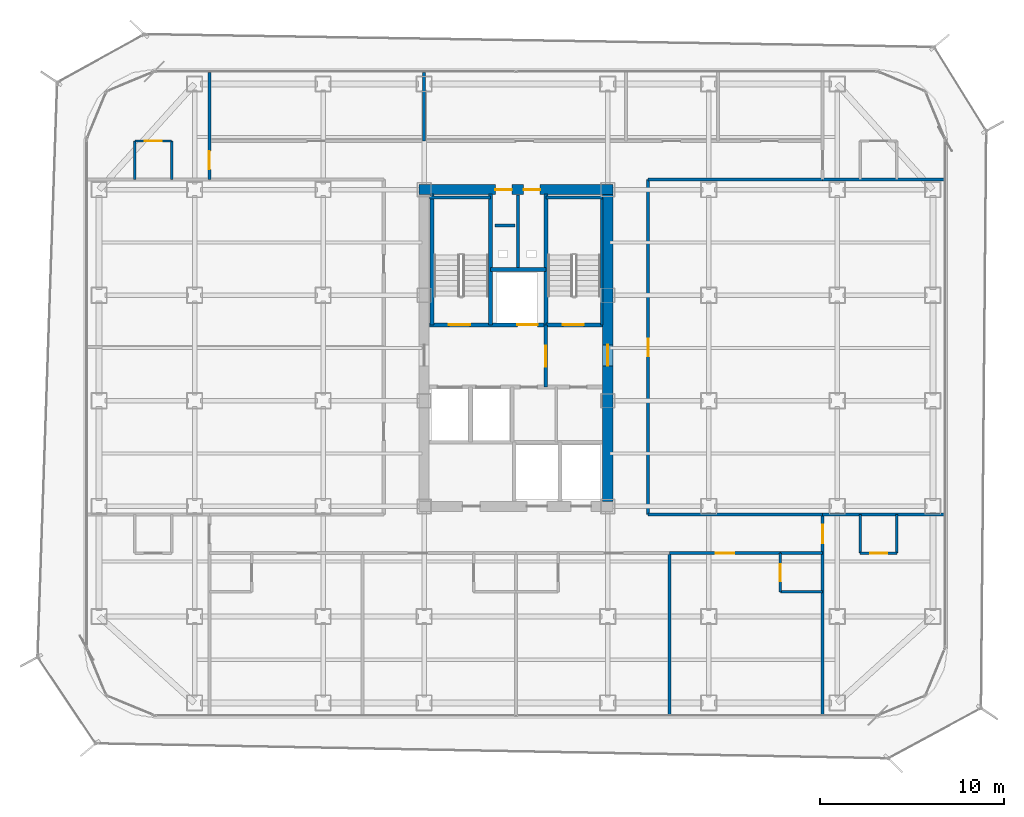
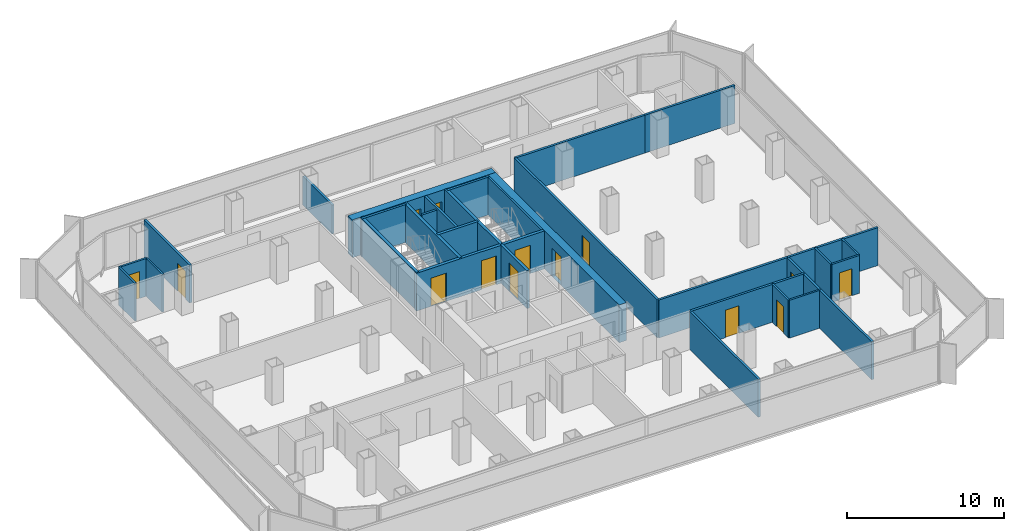
# One storey, part 17 of 21: 33 walls, 14 doors, 14 openings.
"""IFC4 building model written with IfcOpenShell, lengths in metres."""

from ifc_helpers import new_model, si_unit, direction, frame, frame_2d, origin, place, context, subcontext, project, spatial, rectangle, extrude, material, layer, layer_set, type_object, element, fill, save


model = new_model("IFC4")

# Units and contexts
model_context = context("Model", 3, precision=1e-05, world=origin(), true_north=direction((0.0, 1.0)))
body_context = subcontext(model_context, "Body", "Model", "MODEL_VIEW")
ifc_project = project(units=[si_unit("LENGTHUNIT", "METRE"), si_unit("AREAUNIT", "SQUARE_METRE"), si_unit("VOLUMEUNIT", "CUBIC_METRE"), si_unit("PLANEANGLEUNIT", "RADIAN"), si_unit("MASSUNIT", "GRAM", prefix="KILO")], contexts=[model_context])

# Site, building, storey
site_placement = place(None, origin())
site = spatial("IfcSite", under=ifc_project, at=site_placement, CompositionType="ELEMENT")
building_placement = place(site_placement, origin())
building = spatial("IfcBuilding", under=site, at=building_placement, Name="Kolveth Station Tower", CompositionType="ELEMENT")
storey_placement = place(building_placement, frame((0.0, 0.0, 95.89990234375)))
storey = spatial("IfcBuildingStorey", under=building, at=storey_placement, Name="L25", CompositionType="ELEMENT", Elevation=95.89990234375)

# Wall, openings, doors
ifc_material_1 = material(Name="Concrete C60/75", Category="concrete")
ifc_layer_1 = layer(ifc_material_1, 0.550048828125)
ifc_layer_set_1 = layer_set([ifc_layer_1], Name="Concrete C60/75")
wall_type_1 = type_object("IfcWallType", Name="Wall_CW-550", PredefinedType="SHEAR", material=ifc_layer_set_1)
wall_1_placement = place(storey_placement, frame((18.22509765625, 28.75, 0.0), z_axis=(0.0, 0.0, 1.0), x_axis=(1.0, 0.0, 0.0)))
wall_1 = element("IfcWall", 1, at=wall_1_placement, inside=storey, type_object=wall_type_1, Name="L25 Core RC Shear Wall N", PredefinedType="SHEAR", context=body_context, shape_type="SweptSolid", body=[
    extrude(rectangle(XDim=10.5498046875, YDim=0.550048828125, at=frame_2d((5.27490234375, 0.0))), origin(), (0.0, 0.0, 1.0), 2.9501953125),
])
opening_1_placement = place(wall_1_placement, frame((4.155029296875, 0.0, 0.0)))
opening_1 = element("IfcOpeningElement", 2, at=opening_1_placement, cuts=wall_1, Name="Opening RD1", PredefinedType="OPENING", context=body_context, shape_type="SweptSolid", body=[
    extrude(rectangle(XDim=0.89990234375, YDim=2.050048828125, at=frame_2d((0.449951171875, 1.02490234375))), frame((0.0, 0.284912109375, 0.0), z_axis=(0.0, -1.0, 0.0), x_axis=(1.0, 0.0, 0.0)), (0.0, 0.0, 1.0), 0.570068359375),
])
opening_2_placement = place(wall_1_placement, frame((5.695068359375, 0.0, 0.0)))
opening_2 = element("IfcOpeningElement", 3, at=opening_2_placement, cuts=wall_1, Name="Opening RD1", PredefinedType="OPENING", context=body_context, shape_type="SweptSolid", body=[
    extrude(rectangle(XDim=0.89990234375, YDim=2.050048828125, at=frame_2d((0.449951171875, 1.02490234375))), frame((0.0, 0.284912109375, 0.0), z_axis=(0.0, -1.0, 0.0), x_axis=(1.0, 0.0, 0.0)), (0.0, 0.0, 1.0), 0.570068359375),
])
ifc_material_2 = material(Name="Fire-rated Steel S355 riser access leaf", Category="steel")
door_type_1 = type_object("IfcDoorType", Name="Door_RD1", OperationType="NOTDEFINED", PredefinedType="DOOR", material=ifc_material_2)
door_1_placement = place(opening_1_placement, origin())
door_1 = element("IfcDoor", 4, at=door_1_placement, inside=storey, type_object=door_type_1, Name="L25 Electrical Riser Access Door", OperationType="SINGLE_SWING_LEFT", OverallHeight=2.050048828125, OverallWidth=0.89990234375, PredefinedType="DOOR", context=body_context, shape_type="SweptSolid", body=[
    extrude(rectangle(XDim=0.89990234375, YDim=2.050048828125, at=frame_2d((0.449951171875, 1.02490234375))), frame((0.0, 0.02490234375, 0.0), z_axis=(0.0, -1.0, 0.0), x_axis=(1.0, 0.0, 0.0)), (0.0, 0.0, 1.0), 0.050048828125),
])
fill(opening_1, door_1)
door_2_placement = place(opening_2_placement, origin())
door_2 = element("IfcDoor", 5, at=door_2_placement, inside=storey, type_object=door_type_1, Name="L25 Smoke Duct Access Door", OperationType="SINGLE_SWING_LEFT", OverallHeight=2.050048828125, OverallWidth=0.89990234375, PredefinedType="DOOR", context=body_context, shape_type="SweptSolid", body=[
    extrude(rectangle(XDim=0.89990234375, YDim=2.050048828125, at=frame_2d((0.449951171875, 1.02490234375))), frame((0.0, 0.02490234375, 0.0), z_axis=(0.0, -1.0, 0.0), x_axis=(1.0, 0.0, 0.0)), (0.0, 0.0, 1.0), 0.050048828125),
])
fill(opening_2, door_2)

# Wall, opening, door
wall_2_placement = place(storey_placement, frame((28.5, 11.77490234375, 0.0), z_axis=(0.0, 0.0, 1.0), x_axis=(0.0, 1.0, 0.0)))
wall_2 = element("IfcWall", 6, at=wall_2_placement, inside=storey, type_object=wall_type_1, Name="L25 Core RC Shear Wall E", PredefinedType="SHEAR", context=body_context, shape_type="SweptSolid", body=[
    extrude(rectangle(XDim=16.7001953125, YDim=0.550048828125, at=frame_2d((8.35009765625, 0.0))), origin(), (0.0, 0.0, 1.0), 2.9501953125),
])
opening_3_placement = place(wall_2_placement, frame((7.375, 0.0, 0.0)))
opening_3 = element("IfcOpeningElement", 7, at=opening_3_placement, cuts=wall_2, Name="Opening FD1", PredefinedType="OPENING", context=body_context, shape_type="SweptSolid", body=[
    extrude(rectangle(XDim=1.14990234375, YDim=2.199951171875, at=frame_2d((0.574951171875, 1.10009765625))), frame((0.0, 0.284912109375, 0.0), z_axis=(0.0, -1.0, 0.0), x_axis=(1.0, 0.0, 0.0)), (0.0, 0.0, 1.0), 0.570068359375),
])
ifc_material_3 = material(Name="Fire-rated Steel S355 leaf and frame", Category="steel")
door_type_2 = type_object("IfcDoorType", Name="Door_FD1", OperationType="NOTDEFINED", PredefinedType="DOOR", material=ifc_material_3)
door_3_placement = place(opening_3_placement, origin())
door_3 = element("IfcDoor", 8, at=door_3_placement, inside=storey, type_object=door_type_2, Name="L25 East Corridor to Stair Lobby Door", OperationType="SINGLE_SWING_RIGHT", OverallHeight=2.199951171875, OverallWidth=1.14990234375, PredefinedType="DOOR", context=body_context, shape_type="SweptSolid", body=[
    extrude(rectangle(XDim=1.14990234375, YDim=2.199951171875, at=frame_2d((0.574951171875, 1.10009765625))), frame((0.0, 0.02490234375, 0.0), z_axis=(0.0, -1.0, 0.0), x_axis=(1.0, 0.0, 0.0)), (0.0, 0.0, 1.0), 0.050048828125),
])
fill(opening_3, door_3)

# Walls
ifc_material_4 = material(Name="Moisture-resistant gypsum partition")
ifc_layer_2 = layer(ifc_material_4, 0.135009765625)
ifc_layer_set_2 = layer_set([ifc_layer_2], Name="Moisture-resistant gypsum partition")
wall_type_2 = type_object("IfcWallType", Name="Wall_IW-135", PredefinedType="PARTITIONING", material=ifc_layer_set_2)
wall_3_placement = place(storey_placement, frame((28.16748046875, 21.389892578125, 0.0), z_axis=(0.0, 0.0, 1.0), x_axis=(0.0, 1.0, 0.0)))
element("IfcWall", 9, at=wall_3_placement, inside=storey, type_object=wall_type_2, Name="L25 Stair Shaft Wall WL-L25-ST2-E", PredefinedType="PARTITIONING", context=body_context, shape_type="SweptSolid", body=[
    extrude(rectangle(XDim=6.945068359375, YDim=0.135009765625, at=frame_2d((3.47265625, 0.0))), origin(), (0.0, 0.0, 1.0), 2.9501953125),
])
for number, where, z_axis, x_axis, name in (
    (10, (2.75, 29.300048828125, 0.0), (0.0, 0.0, 1.0), (0.0, 1.0, 0.0), "L25 Partition Wall WL-L25-WS2-BV1"),
    (11, (4.75, 29.300048828125, 0.0), (0.0, 0.0, 1.0), (0.0, 1.0, 0.0), "L25 Partition Wall WL-L25-WS2-BV2"),
):
    element("IfcWall", number, at=place(storey_placement, frame(where, z_axis=z_axis, x_axis=x_axis)), inside=storey, type_object=wall_type_2, Name=name, PredefinedType="PARTITIONING", context=body_context, shape_type="SweptSolid", body=[
        extrude(rectangle(XDim=2.099853515625, YDim=0.135009765625, at=frame_2d((1.0498046875, 0.0))), origin(), (0.0, 0.0, 1.0), 2.9501953125),
    ])

# Wall, opening, door
wall_4_placement = place(storey_placement, frame((2.75, 31.39990234375, 0.0), z_axis=(0.0, 0.0, 1.0), x_axis=(1.0, 0.0, 0.0)))
wall_4 = element("IfcWall", 12, at=wall_4_placement, inside=storey, type_object=wall_type_2, Name="L25 Partition Wall WL-L25-WS2-BH", PredefinedType="PARTITIONING", context=body_context, shape_type="SweptSolid", body=[
    extrude(rectangle(XDim=2.0, YDim=0.135009765625, at=frame_2d((1.0, 0.0))), origin(), (0.0, 0.0, 1.0), 2.9501953125),
])
opening_4_placement = place(wall_4_placement, frame((0.5400390625, 0.0, 0.0)))
opening_4 = element("IfcOpeningElement", 13, at=opening_4_placement, cuts=wall_4, Name="Opening ID2", PredefinedType="OPENING", context=body_context, shape_type="SweptSolid", body=[
    extrude(rectangle(XDim=0.919921875, YDim=2.10009765625, at=frame_2d((0.4599609375, 1.050048828125))), frame((0.0, 0.077392578125, 0.0), z_axis=(0.0, -1.0, 0.0), x_axis=(1.0, 0.0, 0.0)), (0.0, 0.0, 1.0), 0.155029296875),
])
ifc_material_5 = material(Name="Moisture-resistant hardwood leaf", Category="wood")
door_type_3 = type_object("IfcDoorType", Name="Door_ID2", OperationType="NOTDEFINED", PredefinedType="DOOR", material=ifc_material_5)
door_4_placement = place(opening_4_placement, frame((0.919921875, 0.0, 0.0), z_axis=(0.0, 0.0, 1.0), x_axis=(-1.0, 0.0, 0.0)))
door_4 = element("IfcDoor", 14, at=door_4_placement, inside=storey, type_object=door_type_3, Name="L25 Hotel Corner Suite WS2 En-Suite Door", OperationType="SINGLE_SWING_RIGHT", OverallHeight=2.10009765625, OverallWidth=0.919921875, PredefinedType="DOOR", context=body_context, shape_type="SweptSolid", body=[
    extrude(rectangle(XDim=0.919921875, YDim=2.10009765625, at=frame_2d((0.4599609375, 1.050048828125))), frame((0.0, 0.02490234375, 0.0), z_axis=(0.0, -1.0, 0.0), x_axis=(1.0, 0.0, 0.0)), (0.0, 0.0, 1.0), 0.050048828125),
])
fill(opening_4, door_4)

# Walls
for number, where, z_axis, x_axis, name in (
    (15, (42.25, 8.949951171875, 0.0), (0.0, 0.0, 1.0), (0.0, 1.0, 0.0), "L25 Partition Wall WL-L25-ES1-BV1"),
    (16, (44.25, 8.949951171875, 0.0), (0.0, 0.0, 1.0), (0.0, 1.0, 0.0), "L25 Partition Wall WL-L25-ES1-BV2"),
):
    element("IfcWall", number, at=place(storey_placement, frame(where, z_axis=z_axis, x_axis=x_axis)), inside=storey, type_object=wall_type_2, Name=name, PredefinedType="PARTITIONING", context=body_context, shape_type="SweptSolid", body=[
        extrude(rectangle(XDim=2.10009765625, YDim=0.135009765625, at=frame_2d((1.050048828125, 0.0))), origin(), (0.0, 0.0, 1.0), 2.9501953125),
    ])

# Wall, opening, door
wall_5_placement = place(storey_placement, frame((42.25, 8.949951171875, 0.0), z_axis=(0.0, 0.0, 1.0), x_axis=(1.0, 0.0, 0.0)))
wall_5 = element("IfcWall", 17, at=wall_5_placement, inside=storey, type_object=wall_type_2, Name="L25 Partition Wall WL-L25-ES1-BH", PredefinedType="PARTITIONING", context=body_context, shape_type="SweptSolid", body=[
    extrude(rectangle(XDim=2.0, YDim=0.135009765625, at=frame_2d((1.0, 0.0))), origin(), (0.0, 0.0, 1.0), 2.9501953125),
])
opening_5_placement = place(wall_5_placement, frame((0.5400390625, 0.0, 0.0)))
opening_5 = element("IfcOpeningElement", 18, at=opening_5_placement, cuts=wall_5, Name="Opening ID2", PredefinedType="OPENING", context=body_context, shape_type="SweptSolid", body=[
    extrude(rectangle(XDim=0.919921875, YDim=2.10009765625, at=frame_2d((0.4599609375, 1.050048828125))), frame((0.0, 0.077392578125, 0.0), z_axis=(0.0, -1.0, 0.0), x_axis=(1.0, 0.0, 0.0)), (0.0, 0.0, 1.0), 0.155029296875),
])
door_5_placement = place(opening_5_placement, origin())
door_5 = element("IfcDoor", 19, at=door_5_placement, inside=storey, type_object=door_type_3, Name="L25 Hotel Corner Suite ES1 En-Suite Door", OperationType="SINGLE_SWING_RIGHT", OverallHeight=2.10009765625, OverallWidth=0.919921875, PredefinedType="DOOR", context=body_context, shape_type="SweptSolid", body=[
    extrude(rectangle(XDim=0.919921875, YDim=2.10009765625, at=frame_2d((0.4599609375, 1.050048828125))), frame((0.0, 0.02490234375, 0.0), z_axis=(0.0, -1.0, 0.0), x_axis=(1.0, 0.0, 0.0)), (0.0, 0.0, 1.0), 0.050048828125),
])
fill(opening_5, door_5)

wall_6_placement = place(storey_placement, frame((37.89990234375, 6.85009765625, 0.0), z_axis=(0.0, 0.0, 1.0), x_axis=(0.0, 1.0, 0.0)))
wall_6 = element("IfcWall", 20, at=wall_6_placement, inside=storey, type_object=wall_type_2, Name="L25 Partition Wall WL-L25-HS4-BV", PredefinedType="PARTITIONING", context=body_context, shape_type="SweptSolid", body=[
    extrude(rectangle(XDim=2.099853515625, YDim=0.135009765625, at=frame_2d((1.0498046875, 0.0))), origin(), (0.0, 0.0, 1.0), 2.9501953125),
])
opening_6_placement = place(wall_6_placement, frame((0.580078125, 0.0, 0.0)))
opening_6 = element("IfcOpeningElement", 21, at=opening_6_placement, cuts=wall_6, Name="Opening ID2", PredefinedType="OPENING", context=body_context, shape_type="SweptSolid", body=[
    extrude(rectangle(XDim=0.919921875, YDim=2.10009765625, at=frame_2d((0.4599609375, 1.050048828125))), frame((0.0, 0.077392578125, 0.0), z_axis=(0.0, -1.0, 0.0), x_axis=(1.0, 0.0, 0.0)), (0.0, 0.0, 1.0), 0.155029296875),
])
door_6_placement = place(opening_6_placement, origin())
door_6 = element("IfcDoor", 22, at=door_6_placement, inside=storey, type_object=door_type_3, Name="L25 Hotel Corner Suite HS4 En-Suite Door", OperationType="SINGLE_SWING_RIGHT", OverallHeight=2.10009765625, OverallWidth=0.919921875, PredefinedType="DOOR", context=body_context, shape_type="SweptSolid", body=[
    extrude(rectangle(XDim=0.919921875, YDim=2.10009765625, at=frame_2d((0.4599609375, 1.050048828125))), frame((0.0, 0.02490234375, 0.0), z_axis=(0.0, -1.0, 0.0), x_axis=(1.0, 0.0, 0.0)), (0.0, 0.0, 1.0), 0.050048828125),
])
fill(opening_6, door_6)

# Walls
wall_7_placement = place(storey_placement, frame((37.89990234375, 6.85009765625, 0.0), z_axis=(0.0, 0.0, 1.0), x_axis=(1.0, 0.0, 0.0)))
element("IfcWall", 23, at=wall_7_placement, inside=storey, type_object=wall_type_2, Name="L25 Partition Wall WL-L25-HS4-BH", PredefinedType="PARTITIONING", context=body_context, shape_type="SweptSolid", body=[
    extrude(rectangle(XDim=2.300048828125, YDim=0.135009765625, at=frame_2d((1.14990234375, 0.0))), origin(), (0.0, 0.0, 1.0), 2.9501953125),
])
ifc_material_6 = material(Name="Acoustic double-stud gypsum partition")
ifc_layer_3 = layer(ifc_material_6, 0.1650390625)
ifc_layer_set_3 = layer_set([ifc_layer_3], Name="Acoustic double-stud gypsum partition")
wall_type_3 = type_object("IfcWallType", Name="Wall_IW-165", PredefinedType="PARTITIONING", material=ifc_layer_set_3)
wall_8_placement = place(storey_placement, frame((18.784912109375, 28.3349609375, 0.0), z_axis=(0.0, 0.0, 1.0), x_axis=(1.0, 0.0, 0.0)))
element("IfcWall", 24, at=wall_8_placement, inside=storey, type_object=wall_type_3, Name="L25 Stair Shaft Wall WL-L25-ST1-N", PredefinedType="PARTITIONING", context=body_context, shape_type="SweptSolid", body=[
    extrude(rectangle(XDim=3.3251953125, YDim=0.1650390625, at=frame_2d((1.66259765625, 0.0))), origin(), (0.0, 0.0, 1.0), 2.9501953125),
])
wall_9_placement = place(storey_placement, frame((25.1298828125, 28.3349609375, 0.0), z_axis=(0.0, 0.0, 1.0), x_axis=(1.0, 0.0, 0.0)))
element("IfcWall", 25, at=wall_9_placement, inside=storey, type_object=wall_type_3, Name="L25 Stair Shaft Wall WL-L25-ST2-N", PredefinedType="PARTITIONING", context=body_context, shape_type="SweptSolid", body=[
    extrude(rectangle(XDim=3.085205078125, YDim=0.1650390625, at=frame_2d((1.54248046875, 0.0))), origin(), (0.0, 0.0, 1.0), 2.9501953125),
])
wall_10_placement = place(storey_placement, frame((23.6201171875, 24.39990234375, 0.0), z_axis=(0.0, 0.0, 1.0), x_axis=(0.0, 1.0, 0.0)))
element("IfcWall", 26, at=wall_10_placement, inside=storey, type_object=wall_type_3, Name="L25 Partition Wall WL-L25-RSR-M", PredefinedType="PARTITIONING", context=body_context, shape_type="SweptSolid", body=[
    extrude(rectangle(XDim=4.065185546875, YDim=0.1650390625, at=frame_2d((2.03271484375, 0.0))), origin(), (0.0, 0.0, 1.0), 2.9501953125),
])
for number, where, z_axis, x_axis, name in (
    (27, (30.699951171875, 11.050048828125, 0.0), (0.0, 0.0, 1.0), (1.0, 0.0, 0.0), "L25 Partition Wall WL-L25-HSET"),
    (28, (30.699951171875, 29.300048828125, 0.0), (0.0, 0.0, 1.0), (1.0, 0.0, 0.0), "L25 Partition Wall WL-L25-HNEB"),
):
    element("IfcWall", number, at=place(storey_placement, frame(where, z_axis=z_axis, x_axis=x_axis)), inside=storey, type_object=wall_type_3, Name=name, PredefinedType="PARTITIONING", context=body_context, shape_type="SweptSolid", body=[
        extrude(rectangle(XDim=9.5, YDim=0.1650390625, at=frame_2d((4.75, 0.0))), origin(), (0.0, 0.0, 1.0), 2.9501953125),
    ])

# Wall, opening, door
wall_11_placement = place(storey_placement, frame((30.699951171875, 11.050048828125, 0.0), z_axis=(0.0, 0.0, 1.0), x_axis=(0.0, 1.0, 0.0)))
wall_11 = element("IfcWall", 29, at=wall_11_placement, inside=storey, type_object=wall_type_3, Name="L25 Partition Wall WL-L25-HE", PredefinedType="PARTITIONING", context=body_context, shape_type="SweptSolid", body=[
    extrude(rectangle(XDim=18.25, YDim=0.1650390625, at=frame_2d((9.125, 0.0))), origin(), (0.0, 0.0, 1.0), 2.9501953125),
])
opening_7_placement = place(wall_11_placement, frame((8.625, 0.0, 0.0)))
opening_7 = element("IfcOpeningElement", 30, at=opening_7_placement, cuts=wall_11, Name="Opening ID1", PredefinedType="OPENING", context=body_context, shape_type="SweptSolid", body=[
    extrude(rectangle(XDim=0.949951171875, YDim=2.14990234375, at=frame_2d((0.47509765625, 1.074951171875))), frame((0.0, 0.092529296875, 0.0), z_axis=(0.0, -1.0, 0.0), x_axis=(1.0, 0.0, 0.0)), (0.0, 0.0, 1.0), 0.18505859375),
])
ifc_material_7 = material(Name="Acoustic hardwood leaf and aluminium frame", Category="wood")
door_type_4 = type_object("IfcDoorType", Name="Door_ID1", OperationType="NOTDEFINED", PredefinedType="DOOR", material=ifc_material_7)
door_7_placement = place(opening_7_placement, origin())
door_7 = element("IfcDoor", 31, at=door_7_placement, inside=storey, type_object=door_type_4, Name="L25 Conference Salon East Door", OperationType="SINGLE_SWING_RIGHT", OverallHeight=2.14990234375, OverallWidth=0.949951171875, PredefinedType="DOOR", context=body_context, shape_type="SweptSolid", body=[
    extrude(rectangle(XDim=0.949951171875, YDim=2.14990234375, at=frame_2d((0.47509765625, 1.074951171875))), frame((0.0, 0.02490234375, 0.0), z_axis=(0.0, -1.0, 0.0), x_axis=(1.0, 0.0, 0.0)), (0.0, 0.0, 1.0), 0.050048828125),
])
fill(opening_7, door_7)

wall_12_placement = place(storey_placement, frame((6.800048828125, 29.300048828125, 0.0), z_axis=(0.0, 0.0, 1.0), x_axis=(0.0, 1.0, 0.0)))
wall_12 = element("IfcWall", 32, at=wall_12_placement, inside=storey, type_object=wall_type_3, Name="L25 Partition Wall WL-L25-END-WN", PredefinedType="PARTITIONING", context=body_context, shape_type="SweptSolid", body=[
    extrude(rectangle(XDim=5.83984375, YDim=0.1650390625, at=frame_2d((2.919921875, 0.0))), origin(), (0.0, 0.0, 1.0), 2.9501953125),
])
opening_8_placement = place(wall_12_placement, frame((0.550048828125, 0.0, 0.0)))
opening_8 = element("IfcOpeningElement", 33, at=opening_8_placement, cuts=wall_12, Name="Opening FD3", PredefinedType="OPENING", context=body_context, shape_type="SweptSolid", body=[
    extrude(rectangle(XDim=1.0, YDim=2.14990234375, at=frame_2d((0.5, 1.074951171875))), frame((0.0, 0.092529296875, 0.0), z_axis=(0.0, -1.0, 0.0), x_axis=(1.0, 0.0, 0.0)), (0.0, 0.0, 1.0), 0.18505859375),
])
ifc_material_8 = material(Name="Fire-rated hardwood leaf and aluminium frame", Category="wood")
door_type_5 = type_object("IfcDoorType", Name="Door_FD3", OperationType="NOTDEFINED", PredefinedType="DOOR", material=ifc_material_8)
door_8_placement = place(opening_8_placement, origin())
door_8 = element("IfcDoor", 34, at=door_8_placement, inside=storey, type_object=door_type_5, Name="L25 Hotel Corner Suite WS2 Entrance Door", OperationType="SINGLE_SWING_LEFT", OverallHeight=2.14990234375, OverallWidth=1.0, PredefinedType="DOOR", context=body_context, shape_type="SweptSolid", body=[
    extrude(rectangle(XDim=1.0, YDim=2.14990234375, at=frame_2d((0.5, 1.074951171875))), frame((0.0, 0.02490234375, 0.0), z_axis=(0.0, -1.0, 0.0), x_axis=(1.0, 0.0, 0.0)), (0.0, 0.0, 1.0), 0.050048828125),
])
fill(opening_8, door_8)

wall_13_placement = place(storey_placement, frame((40.199951171875, 0.159912109375, 0.0), z_axis=(0.0, 0.0, 1.0), x_axis=(0.0, 1.0, 0.0)))
wall_13 = element("IfcWall", 35, at=wall_13_placement, inside=storey, type_object=wall_type_3, Name="L25 Partition Wall WL-L25-END-ES", PredefinedType="PARTITIONING", context=body_context, shape_type="SweptSolid", body=[
    extrude(rectangle(XDim=10.89013671875, YDim=0.1650390625, at=frame_2d((5.445068359375, 0.0))), origin(), (0.0, 0.0, 1.0), 2.9501953125),
])
opening_9_placement = place(wall_13_placement, frame((9.340087890625, 0.0, 0.0)))
opening_9 = element("IfcOpeningElement", 36, at=opening_9_placement, cuts=wall_13, Name="Opening FD3", PredefinedType="OPENING", context=body_context, shape_type="SweptSolid", body=[
    extrude(rectangle(XDim=1.0, YDim=2.14990234375, at=frame_2d((0.5, 1.074951171875))), frame((0.0, 0.092529296875, 0.0), z_axis=(0.0, -1.0, 0.0), x_axis=(1.0, 0.0, 0.0)), (0.0, 0.0, 1.0), 0.18505859375),
])
door_9_placement = place(opening_9_placement, frame((1.0, 0.0, 0.0), z_axis=(0.0, 0.0, 1.0), x_axis=(-1.0, 0.0, 0.0)))
door_9 = element("IfcDoor", 37, at=door_9_placement, inside=storey, type_object=door_type_5, Name="L25 Hotel Corner Suite ES1 Entrance Door", OperationType="SINGLE_SWING_LEFT", OverallHeight=2.14990234375, OverallWidth=1.0, PredefinedType="DOOR", context=body_context, shape_type="SweptSolid", body=[
    extrude(rectangle(XDim=1.0, YDim=2.14990234375, at=frame_2d((0.5, 1.074951171875))), frame((0.0, 0.02490234375, 0.0), z_axis=(0.0, -1.0, 0.0), x_axis=(1.0, 0.0, 0.0)), (0.0, 0.0, 1.0), 0.050048828125),
])
fill(opening_9, door_9)

# Walls
for number, where, z_axis, x_axis, name in (
    (38, (40.199951171875, 11.050048828125, 0.0), (0.0, 0.0, 1.0), (1.0, 0.0, 0.0), "L25 Partition Wall WL-L25-EM1"),
    (39, (40.199951171875, 29.300048828125, 0.0), (0.0, 0.0, 1.0), (1.0, 0.0, 0.0), "L25 Partition Wall WL-L25-EM2"),
):
    element("IfcWall", number, at=place(storey_placement, frame(where, z_axis=z_axis, x_axis=x_axis)), inside=storey, type_object=wall_type_3, Name=name, PredefinedType="PARTITIONING", context=body_context, shape_type="SweptSolid", body=[
        extrude(rectangle(XDim=6.64013671875, YDim=0.1650390625, at=frame_2d((3.320068359375, 0.0))), origin(), (0.0, 0.0, 1.0), 2.9501953125),
    ])
wall_14_placement = place(storey_placement, frame((31.85009765625, 0.159912109375, 0.0), z_axis=(0.0, 0.0, 1.0), x_axis=(0.0, 1.0, 0.0)))
element("IfcWall", 40, at=wall_14_placement, inside=storey, type_object=wall_type_3, Name="L25 Partition Wall WL-L25-HSK-3", PredefinedType="PARTITIONING", context=body_context, shape_type="SweptSolid", body=[
    extrude(rectangle(XDim=8.7900390625, YDim=0.1650390625, at=frame_2d((4.39501953125, 0.0))), origin(), (0.0, 0.0, 1.0), 2.9501953125),
])
wall_15_placement = place(storey_placement, frame((37.89990234375, 8.949951171875, 0.0), z_axis=(0.0, 0.0, 1.0), x_axis=(1.0, 0.0, 0.0)))
element("IfcWall", 41, at=wall_15_placement, inside=storey, type_object=wall_type_3, Name="L25 Partition Wall WL-L25-HS4-BCOR", PredefinedType="PARTITIONING", context=body_context, shape_type="SweptSolid", body=[
    extrude(rectangle(XDim=2.300048828125, YDim=0.1650390625, at=frame_2d((1.14990234375, 0.0))), origin(), (0.0, 0.0, 1.0), 2.9501953125),
])

# Wall, opening, door
wall_16_placement = place(storey_placement, frame((31.85009765625, 8.949951171875, 0.0), z_axis=(0.0, 0.0, 1.0), x_axis=(1.0, 0.0, 0.0)))
wall_16 = element("IfcWall", 42, at=wall_16_placement, inside=storey, type_object=wall_type_3, Name="L25 Partition Wall WL-L25-HS4-RCOR", PredefinedType="PARTITIONING", context=body_context, shape_type="SweptSolid", body=[
    extrude(rectangle(XDim=6.0498046875, YDim=0.1650390625, at=frame_2d((3.02490234375, 0.0))), origin(), (0.0, 0.0, 1.0), 2.9501953125),
])
opening_10_placement = place(wall_16_placement, frame((2.52490234375, 0.0, 0.0)))
opening_10 = element("IfcOpeningElement", 43, at=opening_10_placement, cuts=wall_16, Name="Opening FD3", PredefinedType="OPENING", context=body_context, shape_type="SweptSolid", body=[
    extrude(rectangle(XDim=1.0, YDim=2.14990234375, at=frame_2d((0.5, 1.074951171875))), frame((0.0, 0.092529296875, 0.0), z_axis=(0.0, -1.0, 0.0), x_axis=(1.0, 0.0, 0.0)), (0.0, 0.0, 1.0), 0.18505859375),
])
door_10_placement = place(opening_10_placement, frame((1.0, 0.0, 0.0), z_axis=(0.0, 0.0, 1.0), x_axis=(-1.0, 0.0, 0.0)))
door_10 = element("IfcDoor", 44, at=door_10_placement, inside=storey, type_object=door_type_5, Name="L25 Hotel Corner Suite HS4 Entrance Door", OperationType="SINGLE_SWING_LEFT", OverallHeight=2.14990234375, OverallWidth=1.0, PredefinedType="DOOR", context=body_context, shape_type="SweptSolid", body=[
    extrude(rectangle(XDim=1.0, YDim=2.14990234375, at=frame_2d((0.5, 1.074951171875))), frame((0.0, 0.02490234375, 0.0), z_axis=(0.0, -1.0, 0.0), x_axis=(1.0, 0.0, 0.0)), (0.0, 0.0, 1.0), 0.050048828125),
])
fill(opening_10, door_10)

# Walls
wall_17_placement = place(storey_placement, frame((18.5, 31.39990234375, 0.0), z_axis=(0.0, 0.0, 1.0), x_axis=(0.0, 1.0, 0.0)))
element("IfcWall", 45, at=wall_17_placement, inside=storey, type_object=wall_type_3, Name="L25 Partition Wall WL-L25-HN-P1", PredefinedType="PARTITIONING", context=body_context, shape_type="SweptSolid", body=[
    extrude(rectangle(XDim=3.739990234375, YDim=0.1650390625, at=frame_2d((1.8701171875, 0.0))), origin(), (0.0, 0.0, 1.0), 2.2470703125),
])
wall_18_placement = place(storey_placement, frame((22.35009765625, 26.800048828125, 0.0), z_axis=(0.0, 0.0, 1.0), x_axis=(1.0, 0.0, 0.0)))
element("IfcWall", 46, at=wall_18_placement, inside=storey, type_object=wall_type_3, Name="L25 Acoustic Riser Dry-Lining Wall", PredefinedType="PARTITIONING", context=body_context, shape_type="SweptSolid", body=[
    extrude(rectangle(XDim=1.099853515625, YDim=0.1650390625, at=frame_2d((0.5498046875, 0.0))), origin(), (0.0, 0.0, 1.0), 2.9501953125),
])
ifc_material_9 = material(Name="Acoustic fire-rated gypsum blockwork", Category="masonry")
ifc_layer_4 = layer(ifc_material_9, 0.199951171875)
ifc_layer_set_4 = layer_set([ifc_layer_4], Name="Acoustic fire-rated gypsum blockwork")
wall_type_4 = type_object("IfcWallType", Name="Wall_IW-200", PredefinedType="PARTITIONING", material=ifc_layer_set_4)
wall_19_placement = place(storey_placement, frame((22.110107421875, 24.39990234375, 0.0), z_axis=(0.0, 0.0, 1.0), x_axis=(1.0, 0.0, 0.0)))
element("IfcWall", 47, at=wall_19_placement, inside=storey, type_object=wall_type_4, Name="L25 Partition Wall WL-L25-RSR-S", PredefinedType="PARTITIONING", context=body_context, shape_type="SweptSolid", body=[
    extrude(rectangle(XDim=3.019775390625, YDim=0.199951171875, at=frame_2d((1.509765625, 0.0))), origin(), (0.0, 0.0, 1.0), 2.9501953125),
])

# Wall, opening, door
wall_20_placement = place(storey_placement, frame((25.1298828125, 18.0, 0.0), z_axis=(0.0, 0.0, 1.0), x_axis=(0.0, 1.0, 0.0)))
wall_20 = element("IfcWall", 48, at=wall_20_placement, inside=storey, type_object=wall_type_4, Name="L25 Partition Wall WL-L25-FFL-E", PredefinedType="PARTITIONING", context=body_context, shape_type="SweptSolid", body=[
    extrude(rectangle(XDim=3.389892578125, YDim=0.199951171875, at=frame_2d((1.69482421875, 0.0))), origin(), (0.0, 0.0, 1.0), 2.9501953125),
])
opening_11_placement = place(wall_20_placement, frame((1.10009765625, 0.0, 0.0)))
opening_11 = element("IfcOpeningElement", 49, at=opening_11_placement, cuts=wall_20, Name="Opening FD1", PredefinedType="OPENING", context=body_context, shape_type="SweptSolid", body=[
    extrude(rectangle(XDim=1.14990234375, YDim=2.199951171875, at=frame_2d((0.574951171875, 1.10009765625))), frame((0.0, 0.10986328125, 0.0), z_axis=(0.0, -1.0, 0.0), x_axis=(1.0, 0.0, 0.0)), (0.0, 0.0, 1.0), 0.219970703125),
])
door_11_placement = place(opening_11_placement, origin())
door_11 = element("IfcDoor", 50, at=door_11_placement, inside=storey, type_object=door_type_2, Name="L25 Firefighting to Stair Lobby Door", OperationType="SINGLE_SWING_RIGHT", OverallHeight=2.199951171875, OverallWidth=1.14990234375, PredefinedType="DOOR", context=body_context, shape_type="SweptSolid", body=[
    extrude(rectangle(XDim=1.14990234375, YDim=2.199951171875, at=frame_2d((0.574951171875, 1.10009765625))), frame((0.0, 0.02490234375, 0.0), z_axis=(0.0, -1.0, 0.0), x_axis=(1.0, 0.0, 0.0)), (0.0, 0.0, 1.0), 0.050048828125),
])
fill(opening_11, door_11)

# Walls
ifc_material_10 = material(Name="Concrete C40/50", Category="concrete")
ifc_layer_5 = layer(ifc_material_10, 0.219970703125)
ifc_layer_set_5 = layer_set([ifc_layer_5], Name="Concrete C40/50")
wall_type_5 = type_object("IfcWallType", Name="Wall_IW-220", PredefinedType="SOLIDWALL", material=ifc_layer_set_5)
for number, where, z_axis, x_axis, name in (
    (51, (18.929931640625, 21.389892578125, 0.0), (0.0, 0.0, 1.0), (0.0, 1.0, 0.0), "L25 Stair Shaft Wall WL-L25-ST1-W"),
    (52, (22.110107421875, 21.389892578125, 0.0), (0.0, 0.0, 1.0), (0.0, 1.0, 0.0), "L25 Stair Shaft Wall WL-L25-ST1-E"),
    (53, (25.1298828125, 21.389892578125, 0.0), (0.0, 0.0, 1.0), (0.0, 1.0, 0.0), "L25 Stair Shaft Wall WL-L25-ST2-W"),
):
    element("IfcWall", number, at=place(storey_placement, frame(where, z_axis=z_axis, x_axis=x_axis)), inside=storey, type_object=wall_type_5, Name=name, PredefinedType="SOLIDWALL", context=body_context, shape_type="SweptSolid", body=[
        extrude(rectangle(XDim=7.110107421875, YDim=0.219970703125, at=frame_2d((3.55517578125, 0.0))), origin(), (0.0, 0.0, 1.0), 2.9501953125),
    ])

# Wall, openings, doors
wall_21_placement = place(storey_placement, frame((18.784912109375, 21.389892578125, 0.0), z_axis=(0.0, 0.0, 1.0), x_axis=(1.0, 0.0, 0.0)))
wall_21 = element("IfcWall", 54, at=wall_21_placement, inside=storey, type_object=wall_type_5, Name="L25 Stair Shaft Wall WL-L25-ST1-S", PredefinedType="SOLIDWALL", context=body_context, shape_type="SweptSolid", body=[
    extrude(rectangle(XDim=6.344970703125, YDim=0.219970703125, at=frame_2d((3.17236328125, 0.0))), origin(), (0.0, 0.0, 1.0), 2.9501953125),
])
opening_12_placement = place(wall_21_placement, frame((1.06494140625, 0.0, 0.0)))
opening_12 = element("IfcOpeningElement", 55, at=opening_12_placement, cuts=wall_21, Name="Opening FD1", PredefinedType="OPENING", context=body_context, shape_type="SweptSolid", body=[
    extrude(rectangle(XDim=1.14990234375, YDim=2.199951171875, at=frame_2d((0.574951171875, 1.10009765625))), frame((0.0, 0.119873046875, 0.0), z_axis=(0.0, -1.0, 0.0), x_axis=(1.0, 0.0, 0.0)), (0.0, 0.0, 1.0), 0.239990234375),
])
opening_13_placement = place(wall_21_placement, frame((4.794921875, 0.0, 0.0)))
opening_13 = element("IfcOpeningElement", 56, at=opening_13_placement, cuts=wall_21, Name="Opening LD1", PredefinedType="OPENING", context=body_context, shape_type="SweptSolid", body=[
    extrude(rectangle(XDim=1.10009765625, YDim=2.25, at=frame_2d((0.550048828125, 1.125))), frame((0.0, 0.119873046875, 0.0), z_axis=(0.0, -1.0, 0.0), x_axis=(1.0, 0.0, 0.0)), (0.0, 0.0, 1.0), 0.239990234375),
])
door_12_placement = place(opening_12_placement, frame((1.14990234375, 0.0, 0.0), z_axis=(0.0, 0.0, 1.0), x_axis=(-1.0, 0.0, 0.0)))
door_12 = element("IfcDoor", 57, at=door_12_placement, inside=storey, type_object=door_type_2, Name="L25 Stair ST1 Fire Door", OperationType="SINGLE_SWING_RIGHT", OverallHeight=2.199951171875, OverallWidth=1.14990234375, PredefinedType="DOOR", context=body_context, shape_type="SweptSolid", body=[
    extrude(rectangle(XDim=1.14990234375, YDim=2.199951171875, at=frame_2d((0.574951171875, 1.10009765625))), frame((0.0, 0.02490234375, 0.0), z_axis=(0.0, -1.0, 0.0), x_axis=(1.0, 0.0, 0.0)), (0.0, 0.0, 1.0), 0.050048828125),
])
fill(opening_12, door_12)
ifc_material_11 = material(Name="Brushed stainless steel sliding landing doors", Category="steel")
door_type_6 = type_object("IfcDoorType", Name="Door_LD1", OperationType="NOTDEFINED", PredefinedType="DOOR", material=ifc_material_11)
door_13_placement = place(opening_13_placement, frame((1.10009765625, 0.0, 0.0), z_axis=(0.0, 0.0, 1.0), x_axis=(-1.0, 0.0, 0.0)))
door_13 = element("IfcDoor", 58, at=door_13_placement, inside=storey, type_object=door_type_6, Name="L25 Service Lift SV1 Landing Door", OperationType="DOUBLE_DOOR_SLIDING", OverallHeight=2.25, OverallWidth=1.10009765625, PredefinedType="DOOR", context=body_context, shape_type="SweptSolid", body=[
    extrude(rectangle(XDim=1.10009765625, YDim=2.25, at=frame_2d((0.550048828125, 1.125))), frame((0.0, 0.02490234375, 0.0), z_axis=(0.0, -1.0, 0.0), x_axis=(1.0, 0.0, 0.0)), (0.0, 0.0, 1.0), 0.050048828125),
])
fill(opening_13, door_13)

# Wall, opening, door
wall_22_placement = place(storey_placement, frame((25.1298828125, 21.389892578125, 0.0), z_axis=(0.0, 0.0, 1.0), x_axis=(1.0, 0.0, 0.0)))
wall_22 = element("IfcWall", 59, at=wall_22_placement, inside=storey, type_object=wall_type_5, Name="L25 Stair Shaft Wall WL-L25-ST2-S", PredefinedType="SOLIDWALL", context=body_context, shape_type="SweptSolid", body=[
    extrude(rectangle(XDim=3.085205078125, YDim=0.219970703125, at=frame_2d((1.54248046875, 0.0))), origin(), (0.0, 0.0, 1.0), 2.9501953125),
])
opening_14_placement = place(wall_22_placement, frame((0.919921875, 0.0, 0.0)))
opening_14 = element("IfcOpeningElement", 60, at=opening_14_placement, cuts=wall_22, Name="Opening FD1", PredefinedType="OPENING", context=body_context, shape_type="SweptSolid", body=[
    extrude(rectangle(XDim=1.14990234375, YDim=2.199951171875, at=frame_2d((0.574951171875, 1.10009765625))), frame((0.0, 0.119873046875, 0.0), z_axis=(0.0, -1.0, 0.0), x_axis=(1.0, 0.0, 0.0)), (0.0, 0.0, 1.0), 0.239990234375),
])
door_14_placement = place(opening_14_placement, frame((1.14990234375, 0.0, 0.0), z_axis=(0.0, 0.0, 1.0), x_axis=(-1.0, 0.0, 0.0)))
door_14 = element("IfcDoor", 61, at=door_14_placement, inside=storey, type_object=door_type_2, Name="L25 Stair ST2 Fire Door", OperationType="SINGLE_SWING_LEFT", OverallHeight=2.199951171875, OverallWidth=1.14990234375, PredefinedType="DOOR", context=body_context, shape_type="SweptSolid", body=[
    extrude(rectangle(XDim=1.14990234375, YDim=2.199951171875, at=frame_2d((0.574951171875, 1.10009765625))), frame((0.0, 0.02490234375, 0.0), z_axis=(0.0, -1.0, 0.0), x_axis=(1.0, 0.0, 0.0)), (0.0, 0.0, 1.0), 0.050048828125),
])
fill(opening_14, door_14)

save(model, "model.ifc")
